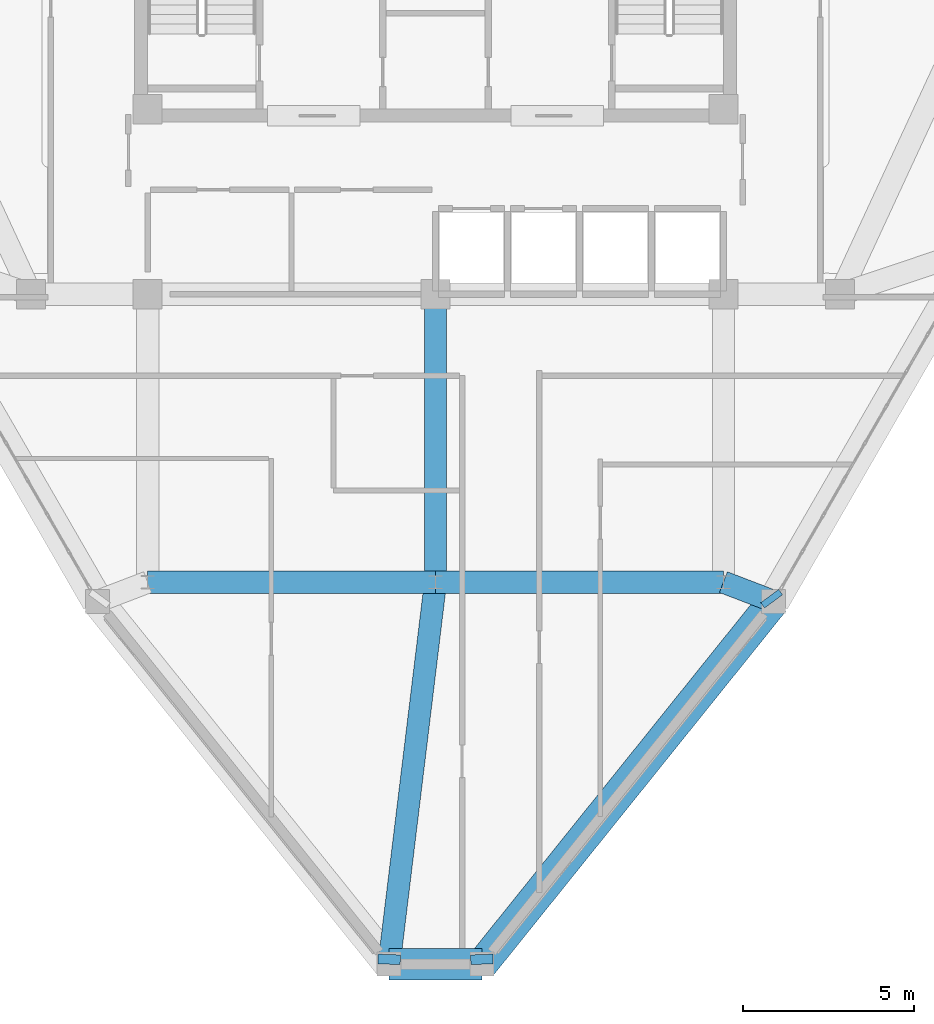
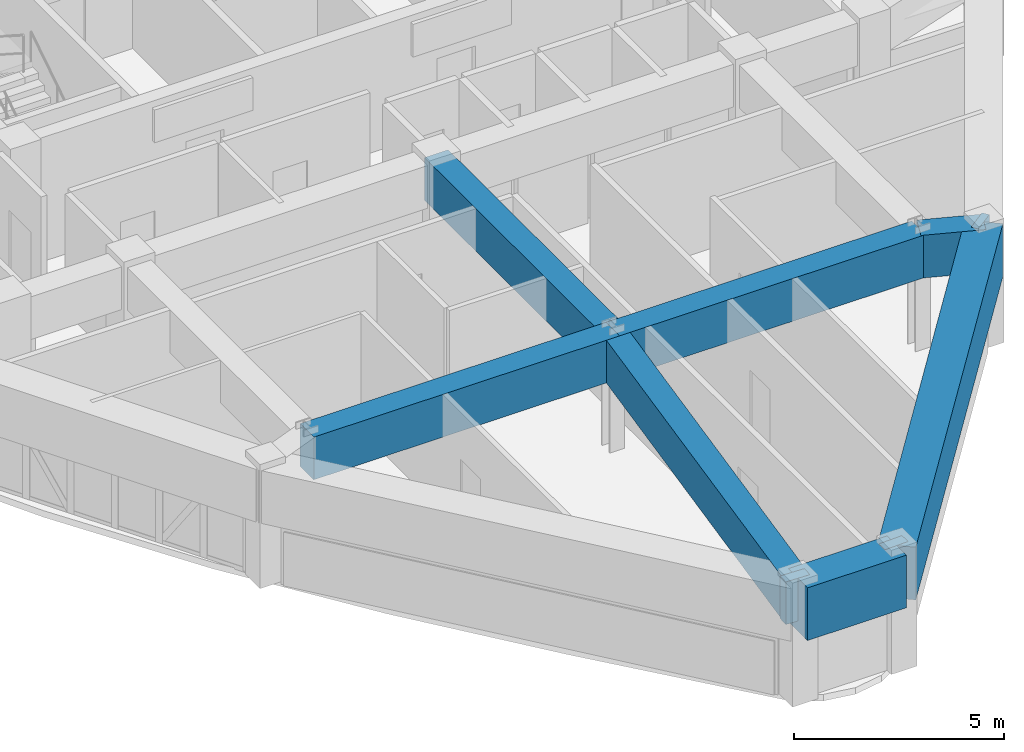
# One storey, part 3 of 16: 10 beams.
"""IFC4 building model written with IfcOpenShell, lengths in metres."""

from ifc_helpers import new_model, si_unit, derived_unit, direction, frame, origin, origin_2d, place, context, subcontext, project, spatial, rectangle, extrude, source, transform, mapped, material, material_profile, profile_set, type_object, element, save


model = new_model("IFC4")

# Units and contexts
model_context = context("Model", 3, precision=1e-05, world=origin(), true_north=direction((0.0, 1.0)))
body_context = subcontext(model_context, "Body", "Model", "MODEL_VIEW")
ifc_project = project(units=[si_unit("LENGTHUNIT", "METRE"), si_unit("AREAUNIT", "SQUARE_METRE"), si_unit("VOLUMEUNIT", "CUBIC_METRE"), si_unit("PLANEANGLEUNIT", "RADIAN"), si_unit("MASSUNIT", "GRAM", prefix="KILO"), derived_unit("THERMALTRANSMITTANCEUNIT", [(si_unit("POWERUNIT", "WATT"), 1), (si_unit("LENGTHUNIT", "METRE"), -2), (si_unit("THERMODYNAMICTEMPERATUREUNIT", "KELVIN"), -1)])], contexts=[model_context])

# Site, building, storey
site_placement = place(None, origin())
site = spatial("IfcSite", under=ifc_project, at=site_placement, CompositionType="ELEMENT")
building_placement = place(site_placement, origin())
building = spatial("IfcBuilding", under=site, at=building_placement, Name="Korsvarv Bourse and Concert Hall", CompositionType="ELEMENT")
storey_placement = place(building_placement, frame((0.0, 0.0, 261.0)))
storey = spatial("IfcBuildingStorey", under=building, at=storey_placement, Name="L68", CompositionType="ELEMENT", Elevation=261.0)

# Beams
ifc_material = material(Name="Concrete C50/60", Category="concrete")
ifc_material_profile_1 = material_profile(ifc_material, rectangle(XDim=0.64990234375, YDim=1.239990234375, at=origin_2d()), Name="RC-BM 650x1240")
ifc_profile_set_1 = profile_set([ifc_material_profile_1], Name="Concrete C50/60")
beam_type_1 = type_object("IfcBeamType", Name="BM-TR-SPN", PredefinedType="BEAM", material=ifc_profile_set_1)
shared_shape_1 = source(origin(), body_context, "Body", "SweptSolid", [
    extrude(rectangle(XDim=0.64990234375, YDim=1.239990234375, at=origin_2d()), origin(), (0.0, 0.0, 1.0), 8.39990234375),
])
for number, where, z_axis, x_axis, name in (
    (1, (27.60009765625, 24.0, 2.7900390625), (1.0, 0.0, 0.0), (0.0, 1.0, 0.0), "L68 beam B-TRS"),
    (2, (36.0, 24.0, 2.7900390625), (1.0, 0.0, 0.0), (0.0, 1.0, 0.0), "L68 beam B-TRS"),
    (3, (36.0, 24.0, 2.7900390625), (0.0, 1.0, 0.0), (-1.0, 0.0, 0.0), "L68 beam B-TRS"),
):
    element("IfcBeam", number, at=place(storey_placement, frame(where, z_axis=z_axis, x_axis=x_axis)), inside=storey, type_object=beam_type_1, Name=name, PredefinedType="BEAM", context=body_context, shape_type="MappedRepresentation", body=[
        mapped(shared_shape_1, transform((0.0, 0.0, 0.0), scale=1.0)),
    ])
ifc_material_profile_2 = material_profile(ifc_material, rectangle(XDim=0.919921875, YDim=1.530029296875, at=origin_2d()), Name="RC-BM 920x1530")
ifc_profile_set_2 = profile_set([ifc_material_profile_2], Name="Concrete C50/60")
beam_type_2 = type_object("IfcBeamType", Name="BM-TR-154", PredefinedType="BEAM", material=ifc_profile_set_2)
shared_shape_2 = source(origin(), body_context, "Body", "SweptSolid", [
    extrude(rectangle(XDim=0.919921875, YDim=1.530029296875, at=origin_2d()), origin(), (0.0, 0.0, 1.0), 2.71337890625),
])
beam_1_placement = place(storey_placement, frame((34.643310546875, 12.851806640625, 2.64501953125), z_axis=(1.0, 0.0, 0.0), x_axis=(0.0, 1.0, 0.0)))
element("IfcBeam", 4, at=beam_1_placement, inside=storey, type_object=beam_type_2, Name="L68 beam B-TR6", PredefinedType="BEAM", context=body_context, shape_type="MappedRepresentation", body=[
    mapped(shared_shape_2, transform((0.0, 0.0, 0.0), scale=1.0)),
])
shared_shape_3 = source(origin(), body_context, "Body", "SweptSolid", [
    extrude(rectangle(XDim=0.919921875, YDim=1.530029296875, at=origin_2d()), origin(), (0.0, 0.0, 1.0), 13.58203125),
])
beam_2_placement = place(storey_placement, frame((37.356689453125, 12.851806640625, 2.64501953125), z_axis=(0.626363997107, 0.779530719811, 0.0), x_axis=(-0.779530719811, 0.626363997107, 0.0)))
element("IfcBeam", 5, at=beam_2_placement, inside=storey, type_object=beam_type_2, Name="L68 beam B-TR6", PredefinedType="BEAM", context=body_context, shape_type="MappedRepresentation", body=[
    mapped(shared_shape_3, transform((0.0, 0.0, 0.0), scale=1.0)),
])
shared_shape_4 = source(origin(), body_context, "Body", "SweptSolid", [
    extrude(rectangle(XDim=0.64990234375, YDim=1.239990234375, at=origin_2d()), origin(), (0.0, 0.0, 1.0), 1.567626953125),
])
beam_3_placement = place(storey_placement, frame((45.864013671875, 23.439453125, 2.7900390625), z_axis=(-0.933894371826, 0.357549020796, 0.0), x_axis=(-0.357549020796, -0.933894371826, 0.0)))
element("IfcBeam", 6, at=beam_3_placement, inside=storey, type_object=beam_type_1, Name="L68 beam B-TRS", PredefinedType="BEAM", context=body_context, shape_type="MappedRepresentation", body=[
    mapped(shared_shape_4, transform((0.0, 0.0, 0.0), scale=1.0)),
])
shared_shape_5 = source(origin(), body_context, "Body", "SweptSolid", [
    extrude(rectangle(XDim=0.64990234375, YDim=1.239990234375, at=origin_2d()), origin(), (0.0, 0.0, 1.0), 11.23046875),
])
beam_4_placement = place(storey_placement, frame((34.643310546875, 12.851806640625, 2.7900390625), z_axis=(0.120804638477, 0.99267630138, 0.0), x_axis=(-0.99267630138, 0.120804638477, 0.0)))
element("IfcBeam", 7, at=beam_4_placement, inside=storey, type_object=beam_type_1, Name="L68 beam B-TRS", PredefinedType="BEAM", context=body_context, shape_type="MappedRepresentation", body=[
    mapped(shared_shape_5, transform((0.0, 0.0, 0.0), scale=1.0)),
])
shared_shape_6 = source(origin(), body_context, "Body", "SweptSolid", [
    extrude(rectangle(XDim=0.64990234375, YDim=1.239990234375, at=origin_2d()), origin(), (0.0, 0.0, 1.0), 0.283935546875),
])
for number, where, z_axis, x_axis, name in (
    (8, (34.643310546875, 12.851806640625, 2.7900390625), (0.036979852399, 0.999316011338, 0.0), (-0.999316011338, 0.036979852399, 0.0), "L68 beam B-TRS"),
    (9, (37.356689453125, 12.851806640625, 2.7900390625), (-0.036979852399, 0.999316011338, 0.0), (-0.999316011338, -0.036979852399, 0.0), "L68 beam B-TRS"),
):
    element("IfcBeam", number, at=place(storey_placement, frame(where, z_axis=z_axis, x_axis=x_axis)), inside=storey, type_object=beam_type_1, Name=name, PredefinedType="BEAM", context=body_context, shape_type="MappedRepresentation", body=[
        mapped(shared_shape_6, transform((0.0, 0.0, 0.0), scale=1.0)),
    ])
shared_shape_7 = source(origin(), body_context, "Body", "SweptSolid", [
    extrude(rectangle(XDim=0.64990234375, YDim=1.239990234375, at=origin_2d()), origin(), (0.0, 0.0, 1.0), 0.19189453125),
])
beam_5_placement = place(storey_placement, frame((45.864013671875, 23.439453125, 2.7900390625), z_axis=(-0.595714500902, 0.803196260832, 0.0), x_axis=(-0.803196260832, -0.595714500902, 0.0)))
element("IfcBeam", 10, at=beam_5_placement, inside=storey, type_object=beam_type_1, Name="L68 beam B-TRS", PredefinedType="BEAM", context=body_context, shape_type="MappedRepresentation", body=[
    mapped(shared_shape_7, transform((0.0, 0.0, 0.0), scale=1.0)),
])

save(model, "model.ifc")
